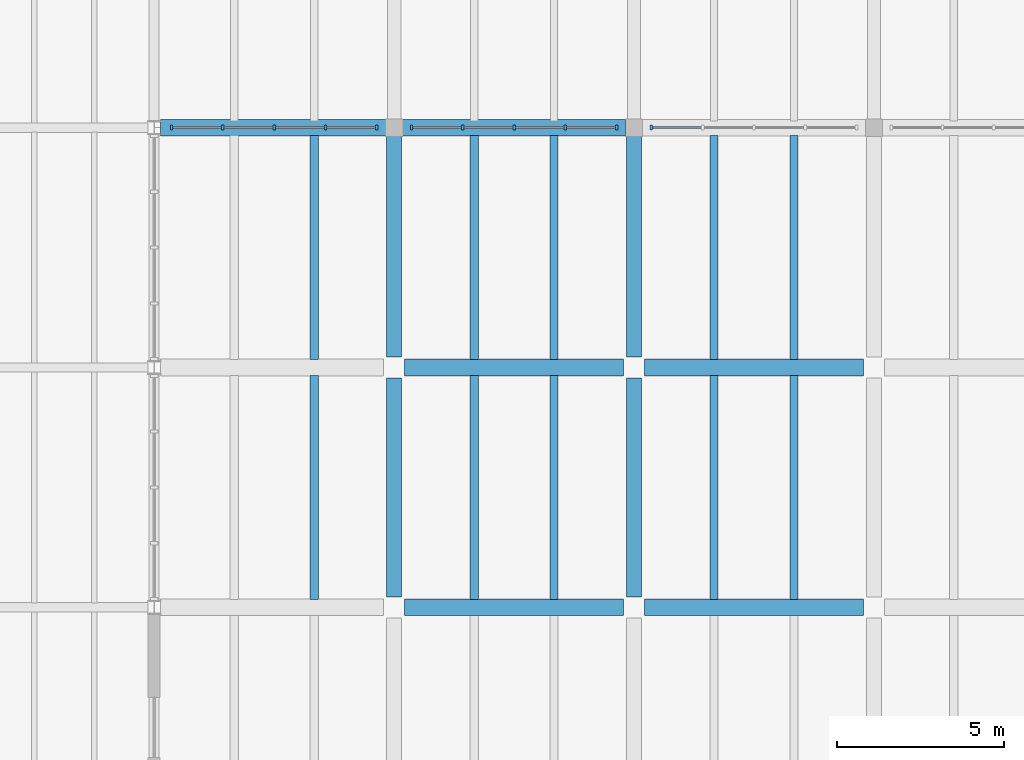
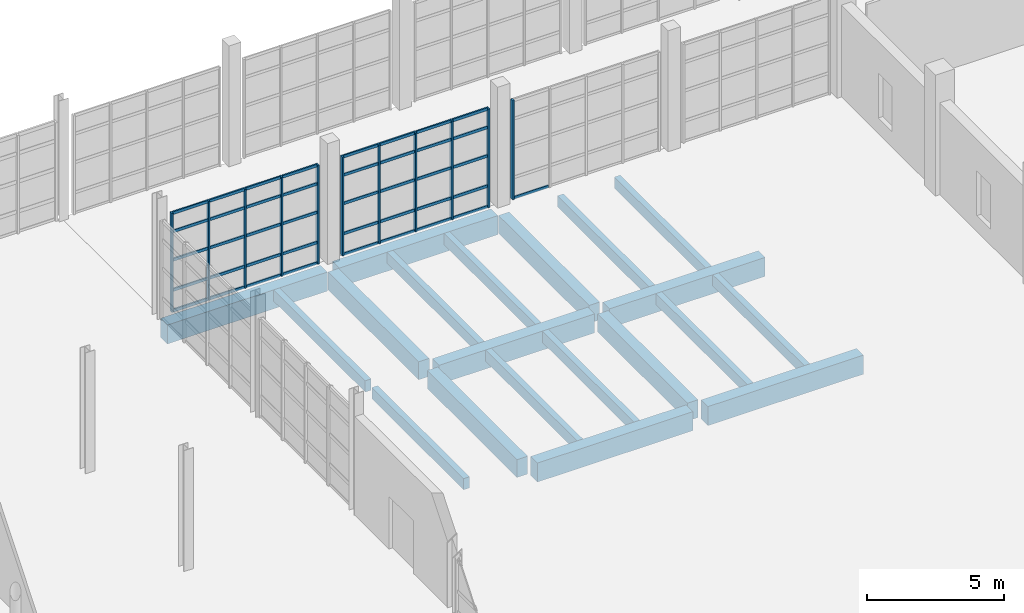
# One storey, part 37 of 79: 52 members, 20 beams, 3 elements without a shape of their own.
"""IFC4 building model written with IfcOpenShell, lengths in metres."""

from ifc_helpers import new_model, si_unit, direction, frame, origin, origin_2d, place, context, subcontext, project, spatial, rectangle, extrude, material, material_profile, profile_set, type_object, element, aggregate, save


model = new_model("IFC4")

# Units and contexts
model_context = context("Model", 3, precision=1e-05, world=origin(), true_north=direction((0.0, 1.0)))
body_context = subcontext(model_context, "Body", "Model", "MODEL_VIEW")
ifc_project = project(units=[si_unit("LENGTHUNIT", "METRE"), si_unit("AREAUNIT", "SQUARE_METRE"), si_unit("VOLUMEUNIT", "CUBIC_METRE"), si_unit("PLANEANGLEUNIT", "RADIAN"), si_unit("MASSUNIT", "GRAM", prefix="KILO")], contexts=[model_context])

# Site, building, storey
site_placement = place(None, origin())
site = spatial("IfcSite", under=ifc_project, at=site_placement, CompositionType="ELEMENT")
building_placement = place(site_placement, origin())
building = spatial("IfcBuilding", under=site, at=building_placement, Name="Qiaolan Assembly House", CompositionType="ELEMENT")
storey_placement = place(building_placement, origin())
storey = spatial("IfcBuildingStorey", under=building, at=storey_placement, Name="L00", CompositionType="ELEMENT", Elevation=0.0)

# Beams
ifc_material_1 = material(Name="Concrete C40/50", Category="concrete")
ifc_material_profile_1 = material_profile(ifc_material_1, rectangle(XDim=0.449951171875, YDim=0.800048828125, at=origin_2d()), Name="RCB 450x800")
ifc_profile_set_1 = profile_set([ifc_material_profile_1], Name="Concrete C40/50")
beam_type_1 = type_object("IfcBeamType", Name="BM-RC-450x800", PredefinedType="BEAM", material=ifc_profile_set_1)
beam_1_placement = place(storey_placement, frame((115.199951171875, 65.114990234375, -0.739990234375), z_axis=(0.0, 1.0, 0.0), x_axis=(-1.0, 0.0, 0.0)))
element("IfcBeam", 1, at=beam_1_placement, inside=storey, type_object=beam_type_1, Name="GB-03 beam BMY-CLCRT-L00-01-03", PredefinedType="BEAM", context=body_context, shape_type="SweptSolid", body=[
    extrude(rectangle(XDim=0.449951171875, YDim=0.800048828125, at=origin_2d()), origin(), (0.0, 0.0, 1.0), 6.570068359375),
])
beam_2_placement = place(storey_placement, frame((115.199951171875, 72.31494140625, -0.739990234375), z_axis=(0.0, 1.0, 0.0), x_axis=(-1.0, 0.0, 0.0)))
element("IfcBeam", 2, at=beam_2_placement, inside=storey, type_object=beam_type_1, Name="GB-03 beam BMY-CLCRT-L00-01-04", PredefinedType="BEAM", context=body_context, shape_type="SweptSolid", body=[
    extrude(rectangle(XDim=0.449951171875, YDim=0.800048828125, at=origin_2d()), origin(), (0.0, 0.0, 1.0), 6.635009765625),
])
beam_3_placement = place(storey_placement, frame((122.39990234375, 65.114990234375, -0.739990234375), z_axis=(0.0, 1.0, 0.0), x_axis=(-1.0, 0.0, 0.0)))
element("IfcBeam", 3, at=beam_3_placement, inside=storey, type_object=beam_type_1, Name="GB-03 beam BMY-CLCRT-L00-02-03", PredefinedType="BEAM", context=body_context, shape_type="SweptSolid", body=[
    extrude(rectangle(XDim=0.449951171875, YDim=0.800048828125, at=origin_2d()), origin(), (0.0, 0.0, 1.0), 6.570068359375),
])
beam_4_placement = place(storey_placement, frame((122.39990234375, 72.31494140625, -0.739990234375), z_axis=(0.0, 1.0, 0.0), x_axis=(-1.0, 0.0, 0.0)))
element("IfcBeam", 4, at=beam_4_placement, inside=storey, type_object=beam_type_1, Name="GB-03 beam BMY-CLCRT-L00-02-04", PredefinedType="BEAM", context=body_context, shape_type="SweptSolid", body=[
    extrude(rectangle(XDim=0.449951171875, YDim=0.800048828125, at=origin_2d()), origin(), (0.0, 0.0, 1.0), 6.635009765625),
])
ifc_material_2 = material(Name="Concrete C45/55", Category="concrete")
ifc_material_profile_2 = material_profile(ifc_material_2, rectangle(XDim=0.5, YDim=0.85009765625, at=origin_2d()), Name="RCB 500x850")
ifc_profile_set_2 = profile_set([ifc_material_profile_2], Name="Concrete C45/55")
beam_type_2 = type_object("IfcBeamType", Name="BM-RC-500x850", PredefinedType="BEAM", material=ifc_profile_set_2)
beam_5_placement = place(storey_placement, frame((115.514892578125, 64.800048828125, -0.764892578125), z_axis=(1.0, 0.0, 0.0), x_axis=(0.0, 1.0, 0.0)))
element("IfcBeam", 5, at=beam_5_placement, inside=storey, type_object=beam_type_2, Name="GB-02 beam BMX-CLCRT-L00-01-03", PredefinedType="BEAM", context=body_context, shape_type="SweptSolid", body=[
    extrude(rectangle(XDim=0.5, YDim=0.85009765625, at=origin_2d()), origin(), (0.0, 0.0, 1.0), 6.570068359375),
])
beam_6_placement = place(storey_placement, frame((122.715087890625, 64.800048828125, -0.764892578125), z_axis=(1.0, 0.0, 0.0), x_axis=(0.0, 1.0, 0.0)))
element("IfcBeam", 6, at=beam_6_placement, inside=storey, type_object=beam_type_2, Name="GB-02 beam BMX-CLCRT-L00-02-03", PredefinedType="BEAM", context=body_context, shape_type="SweptSolid", body=[
    extrude(rectangle(XDim=0.5, YDim=0.85009765625, at=origin_2d()), origin(), (0.0, 0.0, 1.0), 6.56982421875),
])
beam_7_placement = place(storey_placement, frame((115.514892578125, 72.0, -0.764892578125), z_axis=(1.0, 0.0, 0.0), x_axis=(0.0, 1.0, 0.0)))
element("IfcBeam", 7, at=beam_7_placement, inside=storey, type_object=beam_type_2, Name="GB-02 beam BMX-CLCRT-L00-01-04", PredefinedType="BEAM", context=body_context, shape_type="SweptSolid", body=[
    extrude(rectangle(XDim=0.5, YDim=0.85009765625, at=origin_2d()), origin(), (0.0, 0.0, 1.0), 6.570068359375),
])
beam_8_placement = place(storey_placement, frame((122.715087890625, 72.0, -0.764892578125), z_axis=(1.0, 0.0, 0.0), x_axis=(0.0, 1.0, 0.0)))
element("IfcBeam", 8, at=beam_8_placement, inside=storey, type_object=beam_type_2, Name="GB-02 beam BMX-CLCRT-L00-02-04", PredefinedType="BEAM", context=body_context, shape_type="SweptSolid", body=[
    extrude(rectangle(XDim=0.5, YDim=0.85009765625, at=origin_2d()), origin(), (0.0, 0.0, 1.0), 6.56982421875),
])
beam_9_placement = place(storey_placement, frame((108.18994140625, 79.199951171875, -0.764892578125), z_axis=(1.0, 0.0, 0.0), x_axis=(0.0, 1.0, 0.0)))
element("IfcBeam", 9, at=beam_9_placement, inside=storey, type_object=beam_type_2, Name="GB-02 beam BMX-CLCRT-L00-00-05", PredefinedType="BEAM", context=body_context, shape_type="SweptSolid", body=[
    extrude(rectangle(XDim=0.5, YDim=0.85009765625, at=origin_2d()), origin(), (0.0, 0.0, 1.0), 6.760009765625),
])
beam_10_placement = place(storey_placement, frame((115.449951171875, 79.199951171875, -0.764892578125), z_axis=(1.0, 0.0, 0.0), x_axis=(0.0, 1.0, 0.0)))
element("IfcBeam", 10, at=beam_10_placement, inside=storey, type_object=beam_type_2, Name="GB-02 beam BMX-CLCRT-L00-01-05", PredefinedType="BEAM", context=body_context, shape_type="SweptSolid", body=[
    extrude(rectangle(XDim=0.5, YDim=0.85009765625, at=origin_2d()), origin(), (0.0, 0.0, 1.0), 6.699951171875),
])

# Curtain wall, members
ifc_material_3 = material(Name="Anodised bronze aluminium", Category="aluminium")
curtain_wall_type = type_object("IfcCurtainWallType", Name="CW-CLOISTER-420", PredefinedType="NOTDEFINED", material=ifc_material_3)
curtain_wall_1_placement = place(storey_placement, origin())
curtain_wall_1 = element("IfcCurtainWall", 11, at=curtain_wall_1_placement, inside=storey, type_object=curtain_wall_type, Name="CW-05 North Cloister court arcade L00-1", PredefinedType="NOTDEFINED")
ifc_material_profile_3 = material_profile(ifc_material_3, rectangle(XDim=0.070068359375, YDim=0.155029296875, at=origin_2d()), Name="MUL 70x155")
ifc_profile_set_3 = profile_set([ifc_material_profile_3], Name="Anodised bronze aluminium")
member_type_1 = type_object("IfcMemberType", Name="CW-CLOISTER-420-MUL", PredefinedType="MULLION", material=ifc_profile_set_3)
member_1_placement = place(storey_placement, frame((108.52001953125, 79.199951171875, 0.0), z_axis=(0.0, 0.0, 1.0), x_axis=(1.0, 0.0, 0.0)))
member_1 = element("IfcMember", 12, at=member_1_placement, type_object=member_type_1, Name="ML-06 mullion CW-CLN-CRT-L00-0-1", PredefinedType="MULLION", context=body_context, shape_type="SweptSolid", body=[
    extrude(rectangle(XDim=0.070068359375, YDim=0.155029296875, at=origin_2d()), origin(), (0.0, 0.0, 1.0), 4.419921875),
])
member_2_placement = place(storey_placement, frame((110.06005859375, 79.199951171875, 0.0), z_axis=(0.0, 0.0, 1.0), x_axis=(1.0, 0.0, 0.0)))
member_2 = element("IfcMember", 13, at=member_2_placement, type_object=member_type_1, Name="ML-06 mullion CW-CLN-CRT-L00-0-2", PredefinedType="MULLION", context=body_context, shape_type="SweptSolid", body=[
    extrude(rectangle(XDim=0.070068359375, YDim=0.155029296875, at=origin_2d()), origin(), (0.0, 0.0, 1.0), 4.419921875),
])
member_3_placement = place(storey_placement, frame((111.60009765625, 79.199951171875, 0.0), z_axis=(0.0, 0.0, 1.0), x_axis=(1.0, 0.0, 0.0)))
member_3 = element("IfcMember", 14, at=member_3_placement, type_object=member_type_1, Name="ML-06 mullion CW-CLN-CRT-L00-0-3", PredefinedType="MULLION", context=body_context, shape_type="SweptSolid", body=[
    extrude(rectangle(XDim=0.070068359375, YDim=0.155029296875, at=origin_2d()), origin(), (0.0, 0.0, 1.0), 4.419921875),
])
member_4_placement = place(storey_placement, frame((113.139892578125, 79.199951171875, 0.0), z_axis=(0.0, 0.0, 1.0), x_axis=(1.0, 0.0, 0.0)))
member_4 = element("IfcMember", 15, at=member_4_placement, type_object=member_type_1, Name="ML-06 mullion CW-CLN-CRT-L00-0-4", PredefinedType="MULLION", context=body_context, shape_type="SweptSolid", body=[
    extrude(rectangle(XDim=0.070068359375, YDim=0.155029296875, at=origin_2d()), origin(), (0.0, 0.0, 1.0), 4.419921875),
])
member_5_placement = place(storey_placement, frame((114.679931640625, 79.199951171875, 0.0), z_axis=(0.0, 0.0, 1.0), x_axis=(1.0, 0.0, 0.0)))
member_5 = element("IfcMember", 16, at=member_5_placement, type_object=member_type_1, Name="ML-06 mullion CW-CLN-CRT-L00-0-5", PredefinedType="MULLION", context=body_context, shape_type="SweptSolid", body=[
    extrude(rectangle(XDim=0.070068359375, YDim=0.155029296875, at=origin_2d()), origin(), (0.0, 0.0, 1.0), 4.419921875),
])

curtain_wall_2_placement = place(storey_placement, origin())
curtain_wall_2 = element("IfcCurtainWall", 17, at=curtain_wall_2_placement, inside=storey, type_object=curtain_wall_type, Name="CW-05 North Cloister court arcade L00-2", PredefinedType="NOTDEFINED")
member_6_placement = place(storey_placement, frame((115.719970703125, 79.199951171875, 0.0), z_axis=(0.0, 0.0, 1.0), x_axis=(1.0, 0.0, 0.0)))
member_6 = element("IfcMember", 18, at=member_6_placement, type_object=member_type_1, Name="ML-06 mullion CW-CLN-CRT-L00-1-1", PredefinedType="MULLION", context=body_context, shape_type="SweptSolid", body=[
    extrude(rectangle(XDim=0.070068359375, YDim=0.155029296875, at=origin_2d()), origin(), (0.0, 0.0, 1.0), 4.419921875),
])
member_7_placement = place(storey_placement, frame((117.260009765625, 79.199951171875, 0.0), z_axis=(0.0, 0.0, 1.0), x_axis=(1.0, 0.0, 0.0)))
member_7 = element("IfcMember", 19, at=member_7_placement, type_object=member_type_1, Name="ML-06 mullion CW-CLN-CRT-L00-1-2", PredefinedType="MULLION", context=body_context, shape_type="SweptSolid", body=[
    extrude(rectangle(XDim=0.070068359375, YDim=0.155029296875, at=origin_2d()), origin(), (0.0, 0.0, 1.0), 4.419921875),
])
member_8_placement = place(storey_placement, frame((118.800048828125, 79.199951171875, 0.0), z_axis=(0.0, 0.0, 1.0), x_axis=(1.0, 0.0, 0.0)))
member_8 = element("IfcMember", 20, at=member_8_placement, type_object=member_type_1, Name="ML-06 mullion CW-CLN-CRT-L00-1-3", PredefinedType="MULLION", context=body_context, shape_type="SweptSolid", body=[
    extrude(rectangle(XDim=0.070068359375, YDim=0.155029296875, at=origin_2d()), origin(), (0.0, 0.0, 1.0), 4.419921875),
])
member_9_placement = place(storey_placement, frame((120.340087890625, 79.199951171875, 0.0), z_axis=(0.0, 0.0, 1.0), x_axis=(1.0, 0.0, 0.0)))
member_9 = element("IfcMember", 21, at=member_9_placement, type_object=member_type_1, Name="ML-06 mullion CW-CLN-CRT-L00-1-4", PredefinedType="MULLION", context=body_context, shape_type="SweptSolid", body=[
    extrude(rectangle(XDim=0.070068359375, YDim=0.155029296875, at=origin_2d()), origin(), (0.0, 0.0, 1.0), 4.419921875),
])
member_10_placement = place(storey_placement, frame((121.8798828125, 79.199951171875, 0.0), z_axis=(0.0, 0.0, 1.0), x_axis=(1.0, 0.0, 0.0)))
member_10 = element("IfcMember", 22, at=member_10_placement, type_object=member_type_1, Name="ML-06 mullion CW-CLN-CRT-L00-1-5", PredefinedType="MULLION", context=body_context, shape_type="SweptSolid", body=[
    extrude(rectangle(XDim=0.070068359375, YDim=0.155029296875, at=origin_2d()), origin(), (0.0, 0.0, 1.0), 4.419921875),
])

# Curtain wall, member
curtain_wall_3_placement = place(storey_placement, origin())
curtain_wall_3 = element("IfcCurtainWall", 23, at=curtain_wall_3_placement, inside=storey, type_object=curtain_wall_type, Name="CW-05 North Cloister court arcade L00-3", PredefinedType="NOTDEFINED")
member_11_placement = place(storey_placement, frame((122.919921875, 79.199951171875, 0.0), z_axis=(0.0, 0.0, 1.0), x_axis=(1.0, 0.0, 0.0)))
member_11 = element("IfcMember", 24, at=member_11_placement, type_object=member_type_1, Name="ML-06 mullion CW-CLN-CRT-L00-2-1", PredefinedType="MULLION", context=body_context, shape_type="SweptSolid", body=[
    extrude(rectangle(XDim=0.070068359375, YDim=0.155029296875, at=origin_2d()), origin(), (0.0, 0.0, 1.0), 4.419921875),
])

# Member
ifc_material_profile_4 = material_profile(ifc_material_3, rectangle(XDim=0.06201171875, YDim=0.125, at=origin_2d()), Name="TRN 62x125")
ifc_profile_set_4 = profile_set([ifc_material_profile_4], Name="Anodised bronze aluminium")
member_type_2 = type_object("IfcMemberType", Name="CW-CLOISTER-420-TRN", PredefinedType="USERDEFINED", material=ifc_profile_set_4)
member_12_placement = place(storey_placement, frame((108.554931640625, 79.199951171875, 0.030029296875), z_axis=(1.0, 0.0, 0.0), x_axis=(0.0, 1.0, 0.0)))
member_12 = element("IfcMember", 25, at=member_12_placement, type_object=member_type_2, Name="TR-06 transom CW-CLN-CRT-L00-0-1-1", ObjectType="TRANSOM", PredefinedType="USERDEFINED", context=body_context, shape_type="SweptSolid", body=[
    extrude(rectangle(XDim=0.06201171875, YDim=0.125, at=origin_2d()), origin(), (0.0, 0.0, 1.0), 1.469970703125),
])

member_13_placement = place(storey_placement, frame((108.554931640625, 79.199951171875, 0.949951171875), z_axis=(1.0, 0.0, 0.0), x_axis=(0.0, 1.0, 0.0)))
member_13 = element("IfcMember", 26, at=member_13_placement, type_object=member_type_2, Name="TR-06 transom CW-CLN-CRT-L00-0-1-2", ObjectType="TRANSOM", PredefinedType="USERDEFINED", context=body_context, shape_type="SweptSolid", body=[
    extrude(rectangle(XDim=0.06201171875, YDim=0.125, at=origin_2d()), origin(), (0.0, 0.0, 1.0), 1.469970703125),
])

member_14_placement = place(storey_placement, frame((108.554931640625, 79.199951171875, 2.29833984375), z_axis=(1.0, 0.0, 0.0), x_axis=(0.0, 1.0, 0.0)))
member_14 = element("IfcMember", 27, at=member_14_placement, type_object=member_type_2, Name="TR-06 transom CW-CLN-CRT-L00-0-1-3", ObjectType="TRANSOM", PredefinedType="USERDEFINED", context=body_context, shape_type="SweptSolid", body=[
    extrude(rectangle(XDim=0.06201171875, YDim=0.125, at=origin_2d()), origin(), (0.0, 0.0, 1.0), 1.469970703125),
])

member_15_placement = place(storey_placement, frame((108.554931640625, 79.199951171875, 3.570068359375), z_axis=(1.0, 0.0, 0.0), x_axis=(0.0, 1.0, 0.0)))
member_15 = element("IfcMember", 28, at=member_15_placement, type_object=member_type_2, Name="TR-06 transom CW-CLN-CRT-L00-0-1-4", ObjectType="TRANSOM", PredefinedType="USERDEFINED", context=body_context, shape_type="SweptSolid", body=[
    extrude(rectangle(XDim=0.06201171875, YDim=0.125, at=origin_2d()), origin(), (0.0, 0.0, 1.0), 1.469970703125),
])

member_16_placement = place(storey_placement, frame((108.554931640625, 79.199951171875, 4.389892578125), z_axis=(1.0, 0.0, 0.0), x_axis=(0.0, 1.0, 0.0)))
member_16 = element("IfcMember", 29, at=member_16_placement, type_object=member_type_2, Name="TR-06 transom CW-CLN-CRT-L00-0-1-5", ObjectType="TRANSOM", PredefinedType="USERDEFINED", context=body_context, shape_type="SweptSolid", body=[
    extrude(rectangle(XDim=0.06201171875, YDim=0.125, at=origin_2d()), origin(), (0.0, 0.0, 1.0), 1.469970703125),
])

member_17_placement = place(storey_placement, frame((110.094970703125, 79.199951171875, 0.030029296875), z_axis=(1.0, 0.0, 0.0), x_axis=(0.0, 1.0, 0.0)))
member_17 = element("IfcMember", 30, at=member_17_placement, type_object=member_type_2, Name="TR-06 transom CW-CLN-CRT-L00-0-2-1", ObjectType="TRANSOM", PredefinedType="USERDEFINED", context=body_context, shape_type="SweptSolid", body=[
    extrude(rectangle(XDim=0.06201171875, YDim=0.125, at=origin_2d()), origin(), (0.0, 0.0, 1.0), 1.469970703125),
])

member_18_placement = place(storey_placement, frame((110.094970703125, 79.199951171875, 0.949951171875), z_axis=(1.0, 0.0, 0.0), x_axis=(0.0, 1.0, 0.0)))
member_18 = element("IfcMember", 31, at=member_18_placement, type_object=member_type_2, Name="TR-06 transom CW-CLN-CRT-L00-0-2-2", ObjectType="TRANSOM", PredefinedType="USERDEFINED", context=body_context, shape_type="SweptSolid", body=[
    extrude(rectangle(XDim=0.06201171875, YDim=0.125, at=origin_2d()), origin(), (0.0, 0.0, 1.0), 1.469970703125),
])

member_19_placement = place(storey_placement, frame((110.094970703125, 79.199951171875, 2.29833984375), z_axis=(1.0, 0.0, 0.0), x_axis=(0.0, 1.0, 0.0)))
member_19 = element("IfcMember", 32, at=member_19_placement, type_object=member_type_2, Name="TR-06 transom CW-CLN-CRT-L00-0-2-3", ObjectType="TRANSOM", PredefinedType="USERDEFINED", context=body_context, shape_type="SweptSolid", body=[
    extrude(rectangle(XDim=0.06201171875, YDim=0.125, at=origin_2d()), origin(), (0.0, 0.0, 1.0), 1.469970703125),
])

member_20_placement = place(storey_placement, frame((110.094970703125, 79.199951171875, 3.570068359375), z_axis=(1.0, 0.0, 0.0), x_axis=(0.0, 1.0, 0.0)))
member_20 = element("IfcMember", 33, at=member_20_placement, type_object=member_type_2, Name="TR-06 transom CW-CLN-CRT-L00-0-2-4", ObjectType="TRANSOM", PredefinedType="USERDEFINED", context=body_context, shape_type="SweptSolid", body=[
    extrude(rectangle(XDim=0.06201171875, YDim=0.125, at=origin_2d()), origin(), (0.0, 0.0, 1.0), 1.469970703125),
])

member_21_placement = place(storey_placement, frame((110.094970703125, 79.199951171875, 4.389892578125), z_axis=(1.0, 0.0, 0.0), x_axis=(0.0, 1.0, 0.0)))
member_21 = element("IfcMember", 34, at=member_21_placement, type_object=member_type_2, Name="TR-06 transom CW-CLN-CRT-L00-0-2-5", ObjectType="TRANSOM", PredefinedType="USERDEFINED", context=body_context, shape_type="SweptSolid", body=[
    extrude(rectangle(XDim=0.06201171875, YDim=0.125, at=origin_2d()), origin(), (0.0, 0.0, 1.0), 1.469970703125),
])

member_22_placement = place(storey_placement, frame((111.635009765625, 79.199951171875, 0.030029296875), z_axis=(1.0, 0.0, 0.0), x_axis=(0.0, 1.0, 0.0)))
member_22 = element("IfcMember", 35, at=member_22_placement, type_object=member_type_2, Name="TR-06 transom CW-CLN-CRT-L00-0-3-1", ObjectType="TRANSOM", PredefinedType="USERDEFINED", context=body_context, shape_type="SweptSolid", body=[
    extrude(rectangle(XDim=0.06201171875, YDim=0.125, at=origin_2d()), origin(), (0.0, 0.0, 1.0), 1.469970703125),
])

member_23_placement = place(storey_placement, frame((111.635009765625, 79.199951171875, 0.949951171875), z_axis=(1.0, 0.0, 0.0), x_axis=(0.0, 1.0, 0.0)))
member_23 = element("IfcMember", 36, at=member_23_placement, type_object=member_type_2, Name="TR-06 transom CW-CLN-CRT-L00-0-3-2", ObjectType="TRANSOM", PredefinedType="USERDEFINED", context=body_context, shape_type="SweptSolid", body=[
    extrude(rectangle(XDim=0.06201171875, YDim=0.125, at=origin_2d()), origin(), (0.0, 0.0, 1.0), 1.469970703125),
])

member_24_placement = place(storey_placement, frame((111.635009765625, 79.199951171875, 2.29833984375), z_axis=(1.0, 0.0, 0.0), x_axis=(0.0, 1.0, 0.0)))
member_24 = element("IfcMember", 37, at=member_24_placement, type_object=member_type_2, Name="TR-06 transom CW-CLN-CRT-L00-0-3-3", ObjectType="TRANSOM", PredefinedType="USERDEFINED", context=body_context, shape_type="SweptSolid", body=[
    extrude(rectangle(XDim=0.06201171875, YDim=0.125, at=origin_2d()), origin(), (0.0, 0.0, 1.0), 1.469970703125),
])

member_25_placement = place(storey_placement, frame((111.635009765625, 79.199951171875, 3.570068359375), z_axis=(1.0, 0.0, 0.0), x_axis=(0.0, 1.0, 0.0)))
member_25 = element("IfcMember", 38, at=member_25_placement, type_object=member_type_2, Name="TR-06 transom CW-CLN-CRT-L00-0-3-4", ObjectType="TRANSOM", PredefinedType="USERDEFINED", context=body_context, shape_type="SweptSolid", body=[
    extrude(rectangle(XDim=0.06201171875, YDim=0.125, at=origin_2d()), origin(), (0.0, 0.0, 1.0), 1.469970703125),
])

member_26_placement = place(storey_placement, frame((111.635009765625, 79.199951171875, 4.389892578125), z_axis=(1.0, 0.0, 0.0), x_axis=(0.0, 1.0, 0.0)))
member_26 = element("IfcMember", 39, at=member_26_placement, type_object=member_type_2, Name="TR-06 transom CW-CLN-CRT-L00-0-3-5", ObjectType="TRANSOM", PredefinedType="USERDEFINED", context=body_context, shape_type="SweptSolid", body=[
    extrude(rectangle(XDim=0.06201171875, YDim=0.125, at=origin_2d()), origin(), (0.0, 0.0, 1.0), 1.469970703125),
])

member_27_placement = place(storey_placement, frame((113.175048828125, 79.199951171875, 0.030029296875), z_axis=(1.0, 0.0, 0.0), x_axis=(0.0, 1.0, 0.0)))
member_27 = element("IfcMember", 40, at=member_27_placement, type_object=member_type_2, Name="TR-06 transom CW-CLN-CRT-L00-0-4-1", ObjectType="TRANSOM", PredefinedType="USERDEFINED", context=body_context, shape_type="SweptSolid", body=[
    extrude(rectangle(XDim=0.06201171875, YDim=0.125, at=origin_2d()), origin(), (0.0, 0.0, 1.0), 1.469970703125),
])

member_28_placement = place(storey_placement, frame((113.175048828125, 79.199951171875, 0.949951171875), z_axis=(1.0, 0.0, 0.0), x_axis=(0.0, 1.0, 0.0)))
member_28 = element("IfcMember", 41, at=member_28_placement, type_object=member_type_2, Name="TR-06 transom CW-CLN-CRT-L00-0-4-2", ObjectType="TRANSOM", PredefinedType="USERDEFINED", context=body_context, shape_type="SweptSolid", body=[
    extrude(rectangle(XDim=0.06201171875, YDim=0.125, at=origin_2d()), origin(), (0.0, 0.0, 1.0), 1.469970703125),
])

member_29_placement = place(storey_placement, frame((113.175048828125, 79.199951171875, 2.29833984375), z_axis=(1.0, 0.0, 0.0), x_axis=(0.0, 1.0, 0.0)))
member_29 = element("IfcMember", 42, at=member_29_placement, type_object=member_type_2, Name="TR-06 transom CW-CLN-CRT-L00-0-4-3", ObjectType="TRANSOM", PredefinedType="USERDEFINED", context=body_context, shape_type="SweptSolid", body=[
    extrude(rectangle(XDim=0.06201171875, YDim=0.125, at=origin_2d()), origin(), (0.0, 0.0, 1.0), 1.469970703125),
])

member_30_placement = place(storey_placement, frame((113.175048828125, 79.199951171875, 3.570068359375), z_axis=(1.0, 0.0, 0.0), x_axis=(0.0, 1.0, 0.0)))
member_30 = element("IfcMember", 43, at=member_30_placement, type_object=member_type_2, Name="TR-06 transom CW-CLN-CRT-L00-0-4-4", ObjectType="TRANSOM", PredefinedType="USERDEFINED", context=body_context, shape_type="SweptSolid", body=[
    extrude(rectangle(XDim=0.06201171875, YDim=0.125, at=origin_2d()), origin(), (0.0, 0.0, 1.0), 1.469970703125),
])

member_31_placement = place(storey_placement, frame((113.175048828125, 79.199951171875, 4.389892578125), z_axis=(1.0, 0.0, 0.0), x_axis=(0.0, 1.0, 0.0)))
member_31 = element("IfcMember", 44, at=member_31_placement, type_object=member_type_2, Name="TR-06 transom CW-CLN-CRT-L00-0-4-5", ObjectType="TRANSOM", PredefinedType="USERDEFINED", context=body_context, shape_type="SweptSolid", body=[
    extrude(rectangle(XDim=0.06201171875, YDim=0.125, at=origin_2d()), origin(), (0.0, 0.0, 1.0), 1.469970703125),
])

aggregate(curtain_wall_1, [member_1, member_2, member_3, member_4, member_5, member_12, member_13, member_14, member_15, member_16, member_17, member_18, member_19, member_20, member_21, member_22, member_23, member_24, member_25, member_26, member_27, member_28, member_29, member_30, member_31])

member_32_placement = place(storey_placement, frame((115.7548828125, 79.199951171875, 0.030029296875), z_axis=(1.0, 0.0, 0.0), x_axis=(0.0, 1.0, 0.0)))
member_32 = element("IfcMember", 45, at=member_32_placement, type_object=member_type_2, Name="TR-06 transom CW-CLN-CRT-L00-1-1-1", ObjectType="TRANSOM", PredefinedType="USERDEFINED", context=body_context, shape_type="SweptSolid", body=[
    extrude(rectangle(XDim=0.06201171875, YDim=0.125, at=origin_2d()), origin(), (0.0, 0.0, 1.0), 1.47021484375),
])

member_33_placement = place(storey_placement, frame((115.7548828125, 79.199951171875, 0.949951171875), z_axis=(1.0, 0.0, 0.0), x_axis=(0.0, 1.0, 0.0)))
member_33 = element("IfcMember", 46, at=member_33_placement, type_object=member_type_2, Name="TR-06 transom CW-CLN-CRT-L00-1-1-2", ObjectType="TRANSOM", PredefinedType="USERDEFINED", context=body_context, shape_type="SweptSolid", body=[
    extrude(rectangle(XDim=0.06201171875, YDim=0.125, at=origin_2d()), origin(), (0.0, 0.0, 1.0), 1.47021484375),
])

member_34_placement = place(storey_placement, frame((115.7548828125, 79.199951171875, 2.29833984375), z_axis=(1.0, 0.0, 0.0), x_axis=(0.0, 1.0, 0.0)))
member_34 = element("IfcMember", 47, at=member_34_placement, type_object=member_type_2, Name="TR-06 transom CW-CLN-CRT-L00-1-1-3", ObjectType="TRANSOM", PredefinedType="USERDEFINED", context=body_context, shape_type="SweptSolid", body=[
    extrude(rectangle(XDim=0.06201171875, YDim=0.125, at=origin_2d()), origin(), (0.0, 0.0, 1.0), 1.47021484375),
])

member_35_placement = place(storey_placement, frame((115.7548828125, 79.199951171875, 3.570068359375), z_axis=(1.0, 0.0, 0.0), x_axis=(0.0, 1.0, 0.0)))
member_35 = element("IfcMember", 48, at=member_35_placement, type_object=member_type_2, Name="TR-06 transom CW-CLN-CRT-L00-1-1-4", ObjectType="TRANSOM", PredefinedType="USERDEFINED", context=body_context, shape_type="SweptSolid", body=[
    extrude(rectangle(XDim=0.06201171875, YDim=0.125, at=origin_2d()), origin(), (0.0, 0.0, 1.0), 1.47021484375),
])

member_36_placement = place(storey_placement, frame((115.7548828125, 79.199951171875, 4.389892578125), z_axis=(1.0, 0.0, 0.0), x_axis=(0.0, 1.0, 0.0)))
member_36 = element("IfcMember", 49, at=member_36_placement, type_object=member_type_2, Name="TR-06 transom CW-CLN-CRT-L00-1-1-5", ObjectType="TRANSOM", PredefinedType="USERDEFINED", context=body_context, shape_type="SweptSolid", body=[
    extrude(rectangle(XDim=0.06201171875, YDim=0.125, at=origin_2d()), origin(), (0.0, 0.0, 1.0), 1.47021484375),
])

member_37_placement = place(storey_placement, frame((117.294921875, 79.199951171875, 0.030029296875), z_axis=(1.0, 0.0, 0.0), x_axis=(0.0, 1.0, 0.0)))
member_37 = element("IfcMember", 50, at=member_37_placement, type_object=member_type_2, Name="TR-06 transom CW-CLN-CRT-L00-1-2-1", ObjectType="TRANSOM", PredefinedType="USERDEFINED", context=body_context, shape_type="SweptSolid", body=[
    extrude(rectangle(XDim=0.06201171875, YDim=0.125, at=origin_2d()), origin(), (0.0, 0.0, 1.0), 1.469970703125),
])

member_38_placement = place(storey_placement, frame((117.294921875, 79.199951171875, 0.949951171875), z_axis=(1.0, 0.0, 0.0), x_axis=(0.0, 1.0, 0.0)))
member_38 = element("IfcMember", 51, at=member_38_placement, type_object=member_type_2, Name="TR-06 transom CW-CLN-CRT-L00-1-2-2", ObjectType="TRANSOM", PredefinedType="USERDEFINED", context=body_context, shape_type="SweptSolid", body=[
    extrude(rectangle(XDim=0.06201171875, YDim=0.125, at=origin_2d()), origin(), (0.0, 0.0, 1.0), 1.469970703125),
])

member_39_placement = place(storey_placement, frame((117.294921875, 79.199951171875, 2.29833984375), z_axis=(1.0, 0.0, 0.0), x_axis=(0.0, 1.0, 0.0)))
member_39 = element("IfcMember", 52, at=member_39_placement, type_object=member_type_2, Name="TR-06 transom CW-CLN-CRT-L00-1-2-3", ObjectType="TRANSOM", PredefinedType="USERDEFINED", context=body_context, shape_type="SweptSolid", body=[
    extrude(rectangle(XDim=0.06201171875, YDim=0.125, at=origin_2d()), origin(), (0.0, 0.0, 1.0), 1.469970703125),
])

member_40_placement = place(storey_placement, frame((117.294921875, 79.199951171875, 3.570068359375), z_axis=(1.0, 0.0, 0.0), x_axis=(0.0, 1.0, 0.0)))
member_40 = element("IfcMember", 53, at=member_40_placement, type_object=member_type_2, Name="TR-06 transom CW-CLN-CRT-L00-1-2-4", ObjectType="TRANSOM", PredefinedType="USERDEFINED", context=body_context, shape_type="SweptSolid", body=[
    extrude(rectangle(XDim=0.06201171875, YDim=0.125, at=origin_2d()), origin(), (0.0, 0.0, 1.0), 1.469970703125),
])

member_41_placement = place(storey_placement, frame((117.294921875, 79.199951171875, 4.389892578125), z_axis=(1.0, 0.0, 0.0), x_axis=(0.0, 1.0, 0.0)))
member_41 = element("IfcMember", 54, at=member_41_placement, type_object=member_type_2, Name="TR-06 transom CW-CLN-CRT-L00-1-2-5", ObjectType="TRANSOM", PredefinedType="USERDEFINED", context=body_context, shape_type="SweptSolid", body=[
    extrude(rectangle(XDim=0.06201171875, YDim=0.125, at=origin_2d()), origin(), (0.0, 0.0, 1.0), 1.469970703125),
])

member_42_placement = place(storey_placement, frame((118.8349609375, 79.199951171875, 0.030029296875), z_axis=(1.0, 0.0, 0.0), x_axis=(0.0, 1.0, 0.0)))
member_42 = element("IfcMember", 55, at=member_42_placement, type_object=member_type_2, Name="TR-06 transom CW-CLN-CRT-L00-1-3-1", ObjectType="TRANSOM", PredefinedType="USERDEFINED", context=body_context, shape_type="SweptSolid", body=[
    extrude(rectangle(XDim=0.06201171875, YDim=0.125, at=origin_2d()), origin(), (0.0, 0.0, 1.0), 1.469970703125),
])

member_43_placement = place(storey_placement, frame((118.8349609375, 79.199951171875, 0.949951171875), z_axis=(1.0, 0.0, 0.0), x_axis=(0.0, 1.0, 0.0)))
member_43 = element("IfcMember", 56, at=member_43_placement, type_object=member_type_2, Name="TR-06 transom CW-CLN-CRT-L00-1-3-2", ObjectType="TRANSOM", PredefinedType="USERDEFINED", context=body_context, shape_type="SweptSolid", body=[
    extrude(rectangle(XDim=0.06201171875, YDim=0.125, at=origin_2d()), origin(), (0.0, 0.0, 1.0), 1.469970703125),
])

member_44_placement = place(storey_placement, frame((118.8349609375, 79.199951171875, 2.29833984375), z_axis=(1.0, 0.0, 0.0), x_axis=(0.0, 1.0, 0.0)))
member_44 = element("IfcMember", 57, at=member_44_placement, type_object=member_type_2, Name="TR-06 transom CW-CLN-CRT-L00-1-3-3", ObjectType="TRANSOM", PredefinedType="USERDEFINED", context=body_context, shape_type="SweptSolid", body=[
    extrude(rectangle(XDim=0.06201171875, YDim=0.125, at=origin_2d()), origin(), (0.0, 0.0, 1.0), 1.469970703125),
])

member_45_placement = place(storey_placement, frame((118.8349609375, 79.199951171875, 3.570068359375), z_axis=(1.0, 0.0, 0.0), x_axis=(0.0, 1.0, 0.0)))
member_45 = element("IfcMember", 58, at=member_45_placement, type_object=member_type_2, Name="TR-06 transom CW-CLN-CRT-L00-1-3-4", ObjectType="TRANSOM", PredefinedType="USERDEFINED", context=body_context, shape_type="SweptSolid", body=[
    extrude(rectangle(XDim=0.06201171875, YDim=0.125, at=origin_2d()), origin(), (0.0, 0.0, 1.0), 1.469970703125),
])

member_46_placement = place(storey_placement, frame((118.8349609375, 79.199951171875, 4.389892578125), z_axis=(1.0, 0.0, 0.0), x_axis=(0.0, 1.0, 0.0)))
member_46 = element("IfcMember", 59, at=member_46_placement, type_object=member_type_2, Name="TR-06 transom CW-CLN-CRT-L00-1-3-5", ObjectType="TRANSOM", PredefinedType="USERDEFINED", context=body_context, shape_type="SweptSolid", body=[
    extrude(rectangle(XDim=0.06201171875, YDim=0.125, at=origin_2d()), origin(), (0.0, 0.0, 1.0), 1.469970703125),
])

member_47_placement = place(storey_placement, frame((120.375, 79.199951171875, 0.030029296875), z_axis=(1.0, 0.0, 0.0), x_axis=(0.0, 1.0, 0.0)))
member_47 = element("IfcMember", 60, at=member_47_placement, type_object=member_type_2, Name="TR-06 transom CW-CLN-CRT-L00-1-4-1", ObjectType="TRANSOM", PredefinedType="USERDEFINED", context=body_context, shape_type="SweptSolid", body=[
    extrude(rectangle(XDim=0.06201171875, YDim=0.125, at=origin_2d()), origin(), (0.0, 0.0, 1.0), 1.469970703125),
])

member_48_placement = place(storey_placement, frame((120.375, 79.199951171875, 0.949951171875), z_axis=(1.0, 0.0, 0.0), x_axis=(0.0, 1.0, 0.0)))
member_48 = element("IfcMember", 61, at=member_48_placement, type_object=member_type_2, Name="TR-06 transom CW-CLN-CRT-L00-1-4-2", ObjectType="TRANSOM", PredefinedType="USERDEFINED", context=body_context, shape_type="SweptSolid", body=[
    extrude(rectangle(XDim=0.06201171875, YDim=0.125, at=origin_2d()), origin(), (0.0, 0.0, 1.0), 1.469970703125),
])

member_49_placement = place(storey_placement, frame((120.375, 79.199951171875, 2.29833984375), z_axis=(1.0, 0.0, 0.0), x_axis=(0.0, 1.0, 0.0)))
member_49 = element("IfcMember", 62, at=member_49_placement, type_object=member_type_2, Name="TR-06 transom CW-CLN-CRT-L00-1-4-3", ObjectType="TRANSOM", PredefinedType="USERDEFINED", context=body_context, shape_type="SweptSolid", body=[
    extrude(rectangle(XDim=0.06201171875, YDim=0.125, at=origin_2d()), origin(), (0.0, 0.0, 1.0), 1.469970703125),
])

member_50_placement = place(storey_placement, frame((120.375, 79.199951171875, 3.570068359375), z_axis=(1.0, 0.0, 0.0), x_axis=(0.0, 1.0, 0.0)))
member_50 = element("IfcMember", 63, at=member_50_placement, type_object=member_type_2, Name="TR-06 transom CW-CLN-CRT-L00-1-4-4", ObjectType="TRANSOM", PredefinedType="USERDEFINED", context=body_context, shape_type="SweptSolid", body=[
    extrude(rectangle(XDim=0.06201171875, YDim=0.125, at=origin_2d()), origin(), (0.0, 0.0, 1.0), 1.469970703125),
])

member_51_placement = place(storey_placement, frame((120.375, 79.199951171875, 4.389892578125), z_axis=(1.0, 0.0, 0.0), x_axis=(0.0, 1.0, 0.0)))
member_51 = element("IfcMember", 64, at=member_51_placement, type_object=member_type_2, Name="TR-06 transom CW-CLN-CRT-L00-1-4-5", ObjectType="TRANSOM", PredefinedType="USERDEFINED", context=body_context, shape_type="SweptSolid", body=[
    extrude(rectangle(XDim=0.06201171875, YDim=0.125, at=origin_2d()), origin(), (0.0, 0.0, 1.0), 1.469970703125),
])

aggregate(curtain_wall_2, [member_6, member_7, member_8, member_9, member_10, member_32, member_33, member_34, member_35, member_36, member_37, member_38, member_39, member_40, member_41, member_42, member_43, member_44, member_45, member_46, member_47, member_48, member_49, member_50, member_51])

member_52_placement = place(storey_placement, frame((122.955078125, 79.199951171875, 0.030029296875), z_axis=(1.0, 0.0, 0.0), x_axis=(0.0, 1.0, 0.0)))
member_52 = element("IfcMember", 65, at=member_52_placement, type_object=member_type_2, Name="TR-06 transom CW-CLN-CRT-L00-2-1-1", ObjectType="TRANSOM", PredefinedType="USERDEFINED", context=body_context, shape_type="SweptSolid", body=[
    extrude(rectangle(XDim=0.06201171875, YDim=0.125, at=origin_2d()), origin(), (0.0, 0.0, 1.0), 1.469970703125),
])

aggregate(curtain_wall_3, [member_11, member_52])

# Beams
ifc_material_profile_5 = material_profile(ifc_material_1, rectangle(XDim=0.25, YDim=0.5, at=origin_2d()), Name="RCB 250x500")
ifc_profile_set_5 = profile_set([ifc_material_profile_5], Name="Concrete C40/50")
beam_type_3 = type_object("IfcBeamType", Name="JST-RC-250x500", PredefinedType="JOIST", material=ifc_profile_set_5)
for number, where, z_axis, x_axis, name in (
    (66, (112.800048828125, 65.0439453125, -0.590087890625), (0.0, 1.0, 0.0), (-1.0, 0.0, 0.0), "RJ-01 beam JST-CLCRT-L00-00-03-2"),
    (67, (112.800048828125, 72.243896484375, -0.590087890625), (0.0, 1.0, 0.0), (-1.0, 0.0, 0.0), "RJ-01 beam JST-CLCRT-L00-00-04-2"),
    (68, (117.60009765625, 65.0439453125, -0.590087890625), (0.0, 1.0, 0.0), (-1.0, 0.0, 0.0), "RJ-01 beam JST-CLCRT-L00-01-03-1"),
    (69, (120.0, 65.0439453125, -0.590087890625), (0.0, 1.0, 0.0), (-1.0, 0.0, 0.0), "RJ-01 beam JST-CLCRT-L00-01-03-2"),
    (70, (117.60009765625, 72.243896484375, -0.590087890625), (0.0, 1.0, 0.0), (-1.0, 0.0, 0.0), "RJ-01 beam JST-CLCRT-L00-01-04-1"),
    (71, (120.0, 72.243896484375, -0.590087890625), (0.0, 1.0, 0.0), (-1.0, 0.0, 0.0), "RJ-01 beam JST-CLCRT-L00-01-04-2"),
    (72, (124.800048828125, 65.0439453125, -0.590087890625), (0.0, 1.0, 0.0), (-1.0, 0.0, 0.0), "RJ-01 beam JST-CLCRT-L00-02-03-1"),
    (73, (127.199951171875, 65.0439453125, -0.590087890625), (0.0, 1.0, 0.0), (-1.0, 0.0, 0.0), "RJ-01 beam JST-CLCRT-L00-02-03-2"),
    (74, (124.800048828125, 72.243896484375, -0.590087890625), (0.0, 1.0, 0.0), (-1.0, 0.0, 0.0), "RJ-01 beam JST-CLCRT-L00-02-04-1"),
    (75, (127.199951171875, 72.243896484375, -0.590087890625), (0.0, 1.0, 0.0), (-1.0, 0.0, 0.0), "RJ-01 beam JST-CLCRT-L00-02-04-2"),
):
    element("IfcBeam", number, at=place(storey_placement, frame(where, z_axis=z_axis, x_axis=x_axis)), inside=storey, type_object=beam_type_3, Name=name, PredefinedType="JOIST", context=body_context, shape_type="SweptSolid", body=[
        extrude(rectangle(XDim=0.25, YDim=0.5, at=origin_2d()), origin(), (0.0, 0.0, 1.0), 6.712158203125),
    ])

save(model, "model.ifc")
